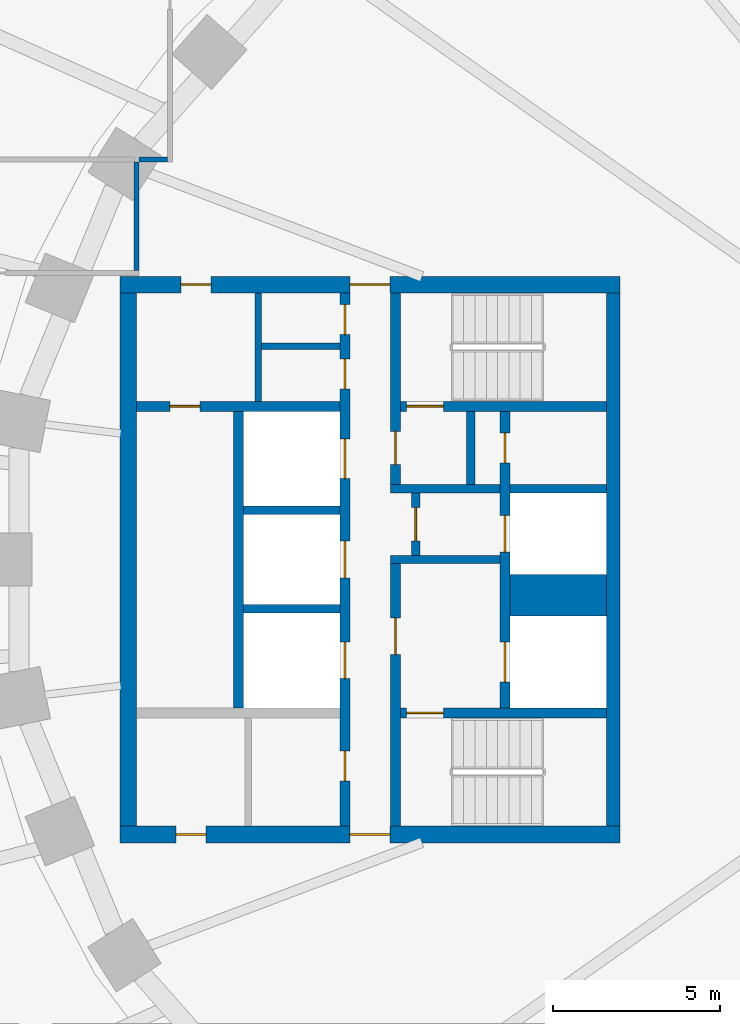
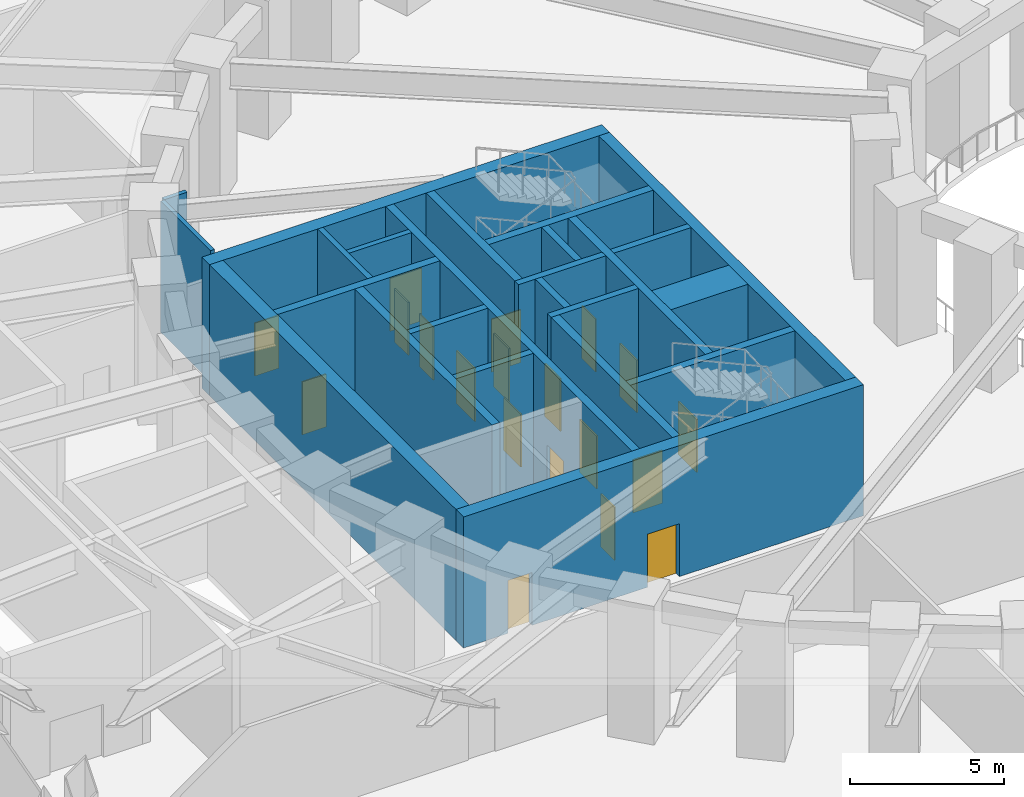
# One storey, part 12 of 63: 24 walls, 19 doors, 19 openings.
"""IFC4 building model written with IfcOpenShell, lengths in metres."""

from ifc_helpers import new_model, si_unit, direction, frame, frame_2d, origin, place, context, subcontext, project, spatial, rectangle, extrude, material, layer, layer_set, type_object, element, fill, save


model = new_model("IFC4")

# Units and contexts
model_context = context("Model", 3, precision=1e-05, world=origin(), true_north=direction((0.0, 1.0)))
body_context = subcontext(model_context, "Body", "Model", "MODEL_VIEW")
ifc_project = project(units=[si_unit("LENGTHUNIT", "METRE"), si_unit("AREAUNIT", "SQUARE_METRE"), si_unit("VOLUMEUNIT", "CUBIC_METRE"), si_unit("PLANEANGLEUNIT", "RADIAN"), si_unit("MASSUNIT", "GRAM", prefix="KILO")], contexts=[model_context])

# Site, building, storey
site_placement = place(None, origin())
site = spatial("IfcSite", under=ifc_project, at=site_placement, CompositionType="ELEMENT")
building_placement = place(site_placement, origin())
building = spatial("IfcBuilding", under=site, at=building_placement, Name="Noorbagh Ring Tower", CompositionType="ELEMENT")
storey_placement = place(building_placement, frame((0.0, 0.0, 25.0)))
storey = spatial("IfcBuildingStorey", under=building, at=storey_placement, Name="L04", CompositionType="ELEMENT", Elevation=25.0)

# Walls
ifc_material_1 = material(Name="Gypsum board on steel studs", Category="steel")
ifc_layer_1 = layer(ifc_material_1, 0.199951171875)
ifc_layer_set_1 = layer_set([ifc_layer_1], Name="Gypsum board on steel studs")
wall_type_1 = type_object("IfcWallType", Name="CORE-PARTITION-200", PredefinedType="PARTITIONING", material=ifc_layer_set_1)
wall_1_placement = place(storey_placement, frame((-27.35009765625, 4.75, 0.0), z_axis=(0.0, 0.0, 1.0), x_axis=(0.0, 1.0, 0.0)))
element("IfcWall", 1, at=wall_1_placement, inside=storey, type_object=wall_type_1, Name="Core partition W", PredefinedType="PARTITIONING", context=body_context, shape_type="SweptSolid", body=[
    extrude(rectangle(XDim=3.25, YDim=0.199951171875, at=frame_2d((1.625, 0.0))), origin(), (0.0, 0.0, 1.0), 5.199951171875),
])
wall_2_placement = place(storey_placement, frame((-24.89990234375, 6.39990234375, 0.0), z_axis=(0.0, 0.0, 1.0), x_axis=(-1.0, 0.0, 0.0)))
element("IfcWall", 2, at=wall_2_placement, inside=storey, type_object=wall_type_1, Name="Core partition W", PredefinedType="PARTITIONING", context=body_context, shape_type="SweptSolid", body=[
    extrude(rectangle(XDim=2.35009765625, YDim=0.199951171875, at=frame_2d((1.175048828125, 0.0))), origin(), (0.0, 0.0, 1.0), 5.199951171875),
])
ifc_material_2 = material(Name="Concrete C70/85", Category="concrete")
ifc_layer_2 = layer(ifc_material_2, 1.25)
ifc_layer_set_2 = layer_set([ifc_layer_2], Name="Concrete C70/85")
wall_type_2 = type_object("IfcWallType", Name="CORE-WALL-1250-C70-85-EI120", PredefinedType="SHEAR", material=ifc_layer_set_2)
wall_3_placement = place(storey_placement, frame((-16.89990234375, -1.074951171875, 0.0), z_axis=(0.0, 0.0, 1.0), x_axis=(-1.0, 0.0, 0.0)))
element("IfcWall", 3, at=wall_3_placement, inside=storey, type_object=wall_type_2, Name="Core wall W", PredefinedType="SHEAR", context=body_context, shape_type="SweptSolid", body=[
    extrude(rectangle(XDim=2.900146484375, YDim=1.25, at=frame_2d((1.4501953125, 0.0))), origin(), (0.0, 0.0, 1.0), 5.199951171875),
])
ifc_material_3 = material(Name="Concrete C70/85", Category="concrete")
ifc_layer_3 = layer(ifc_material_3, 0.25)
ifc_layer_set_3 = layer_set([ifc_layer_3], Name="Concrete C70/85")
wall_type_3 = type_object("IfcWallType", Name="CORE-WALL-250-C70-85-EI120", PredefinedType="SHEAR", material=ifc_layer_set_3)
for number, where, z_axis, x_axis, name in (
    (4, (-16.89990234375, 2.125, 0.0), (0.0, 0.0, 1.0), (-1.0, 0.0, 0.0), "Core wall W"),
    (5, (-24.89990234375, -1.47509765625, 0.0), (0.0, 0.0, 1.0), (-1.0, 0.0, 0.0), "Core wall W"),
    (6, (-24.89990234375, 1.47509765625, 0.0), (0.0, 0.0, 1.0), (-1.0, 0.0, 0.0), "Core wall W"),
):
    element("IfcWall", number, at=place(storey_placement, frame(where, z_axis=z_axis, x_axis=x_axis)), inside=storey, type_object=wall_type_3, Name=name, PredefinedType="SHEAR", context=body_context, shape_type="SweptSolid", body=[
        extrude(rectangle(XDim=2.900146484375, YDim=0.25, at=frame_2d((1.4501953125, 0.0))), origin(), (0.0, 0.0, 1.0), 5.199951171875),
    ])
ifc_material_4 = material(Name="Concrete C70/85", Category="concrete")
ifc_layer_4 = layer(ifc_material_4, 0.25)
ifc_layer_set_4 = layer_set([ifc_layer_4], Name="Concrete C70/85")
wall_type_4 = type_object("IfcWallType", Name="CORE-WALL-250-C70-85-EI240", PredefinedType="SHEAR", material=ifc_layer_set_4)
wall_4_placement = place(storey_placement, frame((-20.10009765625, 0.0, 0.0), z_axis=(0.0, 0.0, 1.0), x_axis=(-1.0, 0.0, 0.0)))
element("IfcWall", 7, at=wall_4_placement, inside=storey, type_object=wall_type_4, Name="Core wall W", PredefinedType="SHEAR", context=body_context, shape_type="SweptSolid", body=[
    extrude(rectangle(XDim=3.27978515625, YDim=0.25, at=frame_2d((1.639892578125, 0.0))), origin(), (0.0, 0.0, 1.0), 5.199951171875),
])

# Wall, opening, door
wall_5_placement = place(storey_placement, frame((-22.625, 0.125, 0.0), z_axis=(0.0, 0.0, 1.0), x_axis=(0.0, 1.0, 0.0)))
wall_5 = element("IfcWall", 8, at=wall_5_placement, inside=storey, type_object=wall_type_4, Name="Core wall W", PredefinedType="SHEAR", context=body_context, shape_type="SweptSolid", body=[
    extrude(rectangle(XDim=1.875, YDim=0.25, at=frame_2d((0.9375, 0.0))), origin(), (0.0, 0.0, 1.0), 5.199951171875),
])
opening_1_placement = place(wall_5_placement, frame((0.43505859375, 0.0, 0.0)))
opening_1 = element("IfcOpeningElement", 9, at=opening_1_placement, cuts=wall_5, Name="Opening L04-CW10", PredefinedType="OPENING", context=body_context, shape_type="SweptSolid", body=[
    extrude(rectangle(XDim=1.0, YDim=2.10009765625, at=frame_2d((0.5, 1.050048828125))), frame((0.0, 0.135009765625, 0.0), z_axis=(0.0, -1.0, 0.0), x_axis=(1.0, 0.0, 0.0)), (0.0, 0.0, 1.0), 0.27001953125),
])
ifc_material_5 = material(Name="Steel door leaf", Category="steel")
door_type_1 = type_object("IfcDoorType", Name="CORE-DOOR-DVEST", OperationType="SINGLE_SWING_LEFT", PredefinedType="DOOR", material=ifc_material_5)
door_1_placement = place(opening_1_placement, origin())
door_1 = element("IfcDoor", 10, at=door_1_placement, inside=storey, type_object=door_type_1, Name="Observation lift lobby door L04-CW10", OperationType="SINGLE_SWING_LEFT", OverallHeight=2.10009765625, OverallWidth=1.0, PredefinedType="DOOR", context=body_context, shape_type="SweptSolid", body=[
    extrude(rectangle(XDim=1.0, YDim=2.10009765625, at=frame_2d((0.5, 1.050048828125))), frame((0.0, 0.02490234375, 0.0), z_axis=(0.0, -1.0, 0.0), x_axis=(1.0, 0.0, 0.0)), (0.0, 0.0, 1.0), 0.050048828125),
])
fill(opening_1, door_1)

# Walls
wall_6_placement = place(storey_placement, frame((-20.10009765625, 2.125, 0.0), z_axis=(0.0, 0.0, 1.0), x_axis=(-1.0, 0.0, 0.0)))
element("IfcWall", 11, at=wall_6_placement, inside=storey, type_object=wall_type_4, Name="Core wall W", PredefinedType="SHEAR", context=body_context, shape_type="SweptSolid", body=[
    extrude(rectangle(XDim=3.27978515625, YDim=0.25, at=frame_2d((1.639892578125, 0.0))), origin(), (0.0, 0.0, 1.0), 5.199951171875),
])
wall_7_placement = place(storey_placement, frame((-20.97509765625, 2.25, 0.0), z_axis=(0.0, 0.0, 1.0), x_axis=(0.0, 1.0, 0.0)))
element("IfcWall", 12, at=wall_7_placement, inside=storey, type_object=wall_type_4, Name="Core wall W", PredefinedType="SHEAR", context=body_context, shape_type="SweptSolid", body=[
    extrude(rectangle(XDim=2.199951171875, YDim=0.25, at=frame_2d((1.10009765625, 0.0))), origin(), (0.0, 0.0, 1.0), 5.199951171875),
])
ifc_material_6 = material(Name="Concrete C70/85", Category="concrete")
ifc_layer_5 = layer(ifc_material_6, 0.300048828125)
ifc_layer_set_5 = layer_set([ifc_layer_5], Name="Concrete C70/85")
wall_type_5 = type_object("IfcWallType", Name="CORE-WALL-300-C70-85-EI120", PredefinedType="SHEAR", material=ifc_layer_set_5)
wall_8_placement = place(storey_placement, frame((-27.949951171875, -4.449951171875, 0.0), z_axis=(0.0, 0.0, 1.0), x_axis=(0.0, 1.0, 0.0)))
element("IfcWall", 13, at=wall_8_placement, inside=storey, type_object=wall_type_5, Name="Core wall W", PredefinedType="SHEAR", context=body_context, shape_type="SweptSolid", body=[
    extrude(rectangle(XDim=8.89990234375, YDim=0.300048828125, at=frame_2d((4.449951171875, 0.0))), origin(), (0.0, 0.0, 1.0), 5.199951171875),
])

# Wall, openings, doors
wall_9_placement = place(storey_placement, frame((-19.949951171875, -4.449951171875, 0.0), z_axis=(0.0, 0.0, 1.0), x_axis=(0.0, 1.0, 0.0)))
wall_9 = element("IfcWall", 14, at=wall_9_placement, inside=storey, type_object=wall_type_5, Name="Core wall W", PredefinedType="SHEAR", context=body_context, shape_type="SweptSolid", body=[
    extrude(rectangle(XDim=8.89990234375, YDim=0.300048828125, at=frame_2d((4.449951171875, 0.0))), origin(), (0.0, 0.0, 1.0), 5.199951171875),
])
opening_2_placement = place(wall_9_placement, frame((0.77490234375, 0.0, 0.0)))
opening_2 = element("IfcOpeningElement", 15, at=opening_2_placement, cuts=wall_9, Name="Opening L04-CW01", PredefinedType="OPENING", context=body_context, shape_type="SweptSolid", body=[
    extrude(rectangle(XDim=1.199951171875, YDim=2.10009765625, at=frame_2d((0.60009765625, 1.050048828125))), frame((0.0, 0.16015625, 0.0), z_axis=(0.0, -1.0, 0.0), x_axis=(1.0, 0.0, 0.0)), (0.0, 0.0, 1.0), 0.320068359375),
])
opening_3_placement = place(wall_9_placement, frame((4.675048828125, 0.0, 0.0)))
opening_3 = element("IfcOpeningElement", 16, at=opening_3_placement, cuts=wall_9, Name="Opening L04-CW02", PredefinedType="OPENING", context=body_context, shape_type="SweptSolid", body=[
    extrude(rectangle(XDim=1.10009765625, YDim=2.10009765625, at=frame_2d((0.550048828125, 1.050048828125))), frame((0.0, 0.16015625, 0.0), z_axis=(0.0, -1.0, 0.0), x_axis=(1.0, 0.0, 0.0)), (0.0, 0.0, 1.0), 0.320068359375),
])
opening_4_placement = place(wall_9_placement, frame((7.35009765625, 0.0, 0.0)))
opening_4 = element("IfcOpeningElement", 17, at=opening_4_placement, cuts=wall_9, Name="Opening L04-CW13", PredefinedType="OPENING", context=body_context, shape_type="SweptSolid", body=[
    extrude(rectangle(XDim=0.89990234375, YDim=2.10009765625, at=frame_2d((0.449951171875, 1.050048828125))), frame((0.0, 0.16015625, 0.0), z_axis=(0.0, -1.0, 0.0), x_axis=(1.0, 0.0, 0.0)), (0.0, 0.0, 1.0), 0.320068359375),
])
ifc_material_7 = material(Name="Steel door leaf", Category="steel")
door_type_2 = type_object("IfcDoorType", Name="CORE-DOOR-DROOM", OperationType="SINGLE_SWING_LEFT", PredefinedType="DOOR", material=ifc_material_7)
door_2_placement = place(opening_4_placement, origin())
door_2 = element("IfcDoor", 18, at=door_2_placement, inside=storey, type_object=door_type_2, Name="Core room door L04-CW13", OperationType="SINGLE_SWING_LEFT", OverallHeight=2.10009765625, OverallWidth=0.89990234375, PredefinedType="DOOR", context=body_context, shape_type="SweptSolid", body=[
    extrude(rectangle(XDim=0.89990234375, YDim=2.10009765625, at=frame_2d((0.449951171875, 1.050048828125))), frame((0.0, 0.02490234375, 0.0), z_axis=(0.0, -1.0, 0.0), x_axis=(1.0, 0.0, 0.0)), (0.0, 0.0, 1.0), 0.050048828125),
])
fill(opening_4, door_2)
ifc_material_8 = material(Name="Steel door leaf", Category="steel")
door_type_3 = type_object("IfcDoorType", Name="CORE-DOOR-LD", OperationType="DOUBLE_DOOR_SLIDING", PredefinedType="DOOR", material=ifc_material_8)
door_3_placement = place(opening_3_placement, origin())
door_3 = element("IfcDoor", 19, at=door_3_placement, inside=storey, type_object=door_type_3, Name="Landing door OB1 L04-CW02", OperationType="DOUBLE_DOOR_SLIDING", OverallHeight=2.10009765625, OverallWidth=1.10009765625, PredefinedType="DOOR", context=body_context, shape_type="SweptSolid", body=[
    extrude(rectangle(XDim=1.10009765625, YDim=2.10009765625, at=frame_2d((0.550048828125, 1.050048828125))), frame((0.0, 0.02490234375, 0.0), z_axis=(0.0, -1.0, 0.0), x_axis=(1.0, 0.0, 0.0)), (0.0, 0.0, 1.0), 0.050048828125),
])
fill(opening_3, door_3)
ifc_material_9 = material(Name="Steel door leaf", Category="steel")
door_type_4 = type_object("IfcDoorType", Name="CORE-DOOR-LDW", OperationType="DOUBLE_DOOR_SLIDING", PredefinedType="DOOR", material=ifc_material_9)
door_4_placement = place(opening_2_placement, origin())
door_4 = element("IfcDoor", 20, at=door_4_placement, inside=storey, type_object=door_type_4, Name="Landing door FF1 L04-CW01", OperationType="DOUBLE_DOOR_SLIDING", OverallHeight=2.10009765625, OverallWidth=1.199951171875, PredefinedType="DOOR", context=body_context, shape_type="SweptSolid", body=[
    extrude(rectangle(XDim=1.199951171875, YDim=2.10009765625, at=frame_2d((0.60009765625, 1.050048828125))), frame((0.0, 0.02490234375, 0.0), z_axis=(0.0, -1.0, 0.0), x_axis=(1.0, 0.0, 0.0)), (0.0, 0.0, 1.0), 0.050048828125),
])
fill(opening_2, door_4)

wall_10_placement = place(storey_placement, frame((-24.75, -8.0, 0.0), z_axis=(0.0, 0.0, 1.0), x_axis=(0.0, 1.0, 0.0)))
wall_10 = element("IfcWall", 21, at=wall_10_placement, inside=storey, type_object=wall_type_5, Name="Core wall W", PredefinedType="SHEAR", context=body_context, shape_type="SweptSolid", body=[
    extrude(rectangle(XDim=16.0, YDim=0.300048828125, at=frame_2d((8.0, 0.0))), origin(), (0.0, 0.0, 1.0), 5.199951171875),
])
opening_5_placement = place(wall_10_placement, frame((4.425048828125, 0.0, 0.0)))
opening_5 = element("IfcOpeningElement", 22, at=opening_5_placement, cuts=wall_10, Name="Opening L04-CW03", PredefinedType="OPENING", context=body_context, shape_type="SweptSolid", body=[
    extrude(rectangle(XDim=1.10009765625, YDim=2.10009765625, at=frame_2d((0.550048828125, 1.050048828125))), frame((0.0, 0.16015625, 0.0), z_axis=(0.0, -1.0, 0.0), x_axis=(1.0, 0.0, 0.0)), (0.0, 0.0, 1.0), 0.320068359375),
])
opening_6_placement = place(wall_10_placement, frame((7.449951171875, 0.0, 0.0)))
opening_6 = element("IfcOpeningElement", 23, at=opening_6_placement, cuts=wall_10, Name="Opening L04-CW04", PredefinedType="OPENING", context=body_context, shape_type="SweptSolid", body=[
    extrude(rectangle(XDim=1.10009765625, YDim=2.10009765625, at=frame_2d((0.550048828125, 1.050048828125))), frame((0.0, 0.16015625, 0.0), z_axis=(0.0, -1.0, 0.0), x_axis=(1.0, 0.0, 0.0)), (0.0, 0.0, 1.0), 0.320068359375),
])
opening_7_placement = place(wall_10_placement, frame((10.425048828125, 0.0, 0.0)))
opening_7 = element("IfcOpeningElement", 24, at=opening_7_placement, cuts=wall_10, Name="Opening L04-CW05", PredefinedType="OPENING", context=body_context, shape_type="SweptSolid", body=[
    extrude(rectangle(XDim=1.199951171875, YDim=2.10009765625, at=frame_2d((0.60009765625, 1.050048828125))), frame((0.0, 0.16015625, 0.0), z_axis=(0.0, -1.0, 0.0), x_axis=(1.0, 0.0, 0.0)), (0.0, 0.0, 1.0), 0.320068359375),
])
opening_8_placement = place(wall_10_placement, frame((13.125, 0.0, 0.0)))
opening_8 = element("IfcOpeningElement", 25, at=opening_8_placement, cuts=wall_10, Name="Opening L04-CW14", PredefinedType="OPENING", context=body_context, shape_type="SweptSolid", body=[
    extrude(rectangle(XDim=0.89990234375, YDim=2.10009765625, at=frame_2d((0.449951171875, 1.050048828125))), frame((0.0, 0.16015625, 0.0), z_axis=(0.0, -1.0, 0.0), x_axis=(1.0, 0.0, 0.0)), (0.0, 0.0, 1.0), 0.320068359375),
])
opening_9_placement = place(wall_10_placement, frame((14.75, 0.0, 0.0)))
opening_9 = element("IfcOpeningElement", 26, at=opening_9_placement, cuts=wall_10, Name="Opening L04-CW15", PredefinedType="OPENING", context=body_context, shape_type="SweptSolid", body=[
    extrude(rectangle(XDim=0.89990234375, YDim=2.10009765625, at=frame_2d((0.449951171875, 1.050048828125))), frame((0.0, 0.16015625, 0.0), z_axis=(0.0, -1.0, 0.0), x_axis=(1.0, 0.0, 0.0)), (0.0, 0.0, 1.0), 0.320068359375),
])
opening_10_placement = place(wall_10_placement, frame((1.35009765625, 0.0, 0.0)))
opening_10 = element("IfcOpeningElement", 27, at=opening_10_placement, cuts=wall_10, Name="Opening L04-CW17", PredefinedType="OPENING", context=body_context, shape_type="SweptSolid", body=[
    extrude(rectangle(XDim=0.89990234375, YDim=2.10009765625, at=frame_2d((0.449951171875, 1.050048828125))), frame((0.0, 0.16015625, 0.0), z_axis=(0.0, -1.0, 0.0), x_axis=(1.0, 0.0, 0.0)), (0.0, 0.0, 1.0), 0.320068359375),
])
door_5_placement = place(opening_8_placement, origin())
door_5 = element("IfcDoor", 28, at=door_5_placement, inside=storey, type_object=door_type_2, Name="Core room door L04-CW14", OperationType="SINGLE_SWING_LEFT", OverallHeight=2.10009765625, OverallWidth=0.89990234375, PredefinedType="DOOR", context=body_context, shape_type="SweptSolid", body=[
    extrude(rectangle(XDim=0.89990234375, YDim=2.10009765625, at=frame_2d((0.449951171875, 1.050048828125))), frame((0.0, 0.02490234375, 0.0), z_axis=(0.0, -1.0, 0.0), x_axis=(1.0, 0.0, 0.0)), (0.0, 0.0, 1.0), 0.050048828125),
])
fill(opening_8, door_5)
door_6_placement = place(opening_9_placement, origin())
door_6 = element("IfcDoor", 29, at=door_6_placement, inside=storey, type_object=door_type_2, Name="Core room door L04-CW15", OperationType="SINGLE_SWING_RIGHT", OverallHeight=2.10009765625, OverallWidth=0.89990234375, PredefinedType="DOOR", context=body_context, shape_type="SweptSolid", body=[
    extrude(rectangle(XDim=0.89990234375, YDim=2.10009765625, at=frame_2d((0.449951171875, 1.050048828125))), frame((0.0, 0.02490234375, 0.0), z_axis=(0.0, -1.0, 0.0), x_axis=(1.0, 0.0, 0.0)), (0.0, 0.0, 1.0), 0.050048828125),
])
fill(opening_9, door_6)
door_7_placement = place(opening_10_placement, origin())
door_7 = element("IfcDoor", 30, at=door_7_placement, inside=storey, type_object=door_type_2, Name="Core room door L04-CW17", OperationType="SINGLE_SWING_LEFT", OverallHeight=2.10009765625, OverallWidth=0.89990234375, PredefinedType="DOOR", context=body_context, shape_type="SweptSolid", body=[
    extrude(rectangle(XDim=0.89990234375, YDim=2.10009765625, at=frame_2d((0.449951171875, 1.050048828125))), frame((0.0, 0.02490234375, 0.0), z_axis=(0.0, -1.0, 0.0), x_axis=(1.0, 0.0, 0.0)), (0.0, 0.0, 1.0), 0.050048828125),
])
fill(opening_10, door_7)
door_8_placement = place(opening_5_placement, origin())
door_8 = element("IfcDoor", 31, at=door_8_placement, inside=storey, type_object=door_type_3, Name="Landing door LR1 L04-CW03", OperationType="DOUBLE_DOOR_SLIDING", OverallHeight=2.10009765625, OverallWidth=1.10009765625, PredefinedType="DOOR", context=body_context, shape_type="SweptSolid", body=[
    extrude(rectangle(XDim=1.10009765625, YDim=2.10009765625, at=frame_2d((0.550048828125, 1.050048828125))), frame((0.0, 0.02490234375, 0.0), z_axis=(0.0, -1.0, 0.0), x_axis=(1.0, 0.0, 0.0)), (0.0, 0.0, 1.0), 0.050048828125),
])
fill(opening_5, door_8)
door_9_placement = place(opening_6_placement, origin())
door_9 = element("IfcDoor", 32, at=door_9_placement, inside=storey, type_object=door_type_3, Name="Landing door LR2 L04-CW04", OperationType="DOUBLE_DOOR_SLIDING", OverallHeight=2.10009765625, OverallWidth=1.10009765625, PredefinedType="DOOR", context=body_context, shape_type="SweptSolid", body=[
    extrude(rectangle(XDim=1.10009765625, YDim=2.10009765625, at=frame_2d((0.550048828125, 1.050048828125))), frame((0.0, 0.02490234375, 0.0), z_axis=(0.0, -1.0, 0.0), x_axis=(1.0, 0.0, 0.0)), (0.0, 0.0, 1.0), 0.050048828125),
])
fill(opening_6, door_9)
door_10_placement = place(opening_7_placement, origin())
door_10 = element("IfcDoor", 33, at=door_10_placement, inside=storey, type_object=door_type_4, Name="Landing door SV1 L04-CW05", OperationType="DOUBLE_DOOR_SLIDING", OverallHeight=2.10009765625, OverallWidth=1.199951171875, PredefinedType="DOOR", context=body_context, shape_type="SweptSolid", body=[
    extrude(rectangle(XDim=1.199951171875, YDim=2.10009765625, at=frame_2d((0.60009765625, 1.050048828125))), frame((0.0, 0.02490234375, 0.0), z_axis=(0.0, -1.0, 0.0), x_axis=(1.0, 0.0, 0.0)), (0.0, 0.0, 1.0), 0.050048828125),
])
fill(opening_7, door_10)

# Wall, opening, door
ifc_material_10 = material(Name="Concrete C70/85", Category="concrete")
ifc_layer_6 = layer(ifc_material_10, 0.300048828125)
ifc_layer_set_6 = layer_set([ifc_layer_6], Name="Concrete C70/85")
wall_type_6 = type_object("IfcWallType", Name="CORE-WALL-300-C70-85-EI240", PredefinedType="SHEAR", material=ifc_layer_set_6)
wall_11_placement = place(storey_placement, frame((-24.89990234375, 4.60009765625, 0.0), z_axis=(0.0, 0.0, 1.0), x_axis=(-1.0, 0.0, 0.0)))
wall_11 = element("IfcWall", 34, at=wall_11_placement, inside=storey, type_object=wall_type_6, Name="Core wall W", PredefinedType="SHEAR", context=body_context, shape_type="SweptSolid", body=[
    extrude(rectangle(XDim=6.10009765625, YDim=0.300048828125, at=frame_2d((3.050048828125, 0.0))), origin(), (0.0, 0.0, 1.0), 5.199951171875),
])
opening_11_placement = place(wall_11_placement, frame((4.199951171875, 0.0, 0.0)))
opening_11 = element("IfcOpeningElement", 35, at=opening_11_placement, cuts=wall_11, Name="Opening L04-CW19", PredefinedType="OPENING", context=body_context, shape_type="SweptSolid", body=[
    extrude(rectangle(XDim=0.89990234375, YDim=2.10009765625, at=frame_2d((0.449951171875, 1.050048828125))), frame((0.0, 0.16015625, 0.0), z_axis=(0.0, -1.0, 0.0), x_axis=(1.0, 0.0, 0.0)), (0.0, 0.0, 1.0), 0.320068359375),
])
door_11_placement = place(opening_11_placement, origin())
door_11 = element("IfcDoor", 36, at=door_11_placement, inside=storey, type_object=door_type_2, Name="Core room door L04-CW19", OperationType="SINGLE_SWING_LEFT", OverallHeight=2.10009765625, OverallWidth=0.89990234375, PredefinedType="DOOR", context=body_context, shape_type="SweptSolid", body=[
    extrude(rectangle(XDim=0.89990234375, YDim=2.10009765625, at=frame_2d((0.449951171875, 1.050048828125))), frame((0.0, 0.02490234375, 0.0), z_axis=(0.0, -1.0, 0.0), x_axis=(1.0, 0.0, 0.0)), (0.0, 0.0, 1.0), 0.050048828125),
])
fill(opening_11, door_11)

wall_12_placement = place(storey_placement, frame((-23.22998046875, 2.25, 0.0), z_axis=(0.0, 0.0, 1.0), x_axis=(0.0, 1.0, 0.0)))
wall_12 = element("IfcWall", 37, at=wall_12_placement, inside=storey, type_object=wall_type_6, Name="Core wall W", PredefinedType="SHEAR", context=body_context, shape_type="SweptSolid", body=[
    extrude(rectangle(XDim=5.75, YDim=0.300048828125, at=frame_2d((2.875, 0.0))), origin(), (0.0, 0.0, 1.0), 5.199951171875),
])
opening_12_placement = place(wall_12_placement, frame((0.60009765625, 0.0, 0.0)))
opening_12 = element("IfcOpeningElement", 38, at=opening_12_placement, cuts=wall_12, Name="Opening L04-CW09", PredefinedType="OPENING", context=body_context, shape_type="SweptSolid", body=[
    extrude(rectangle(XDim=1.0, YDim=2.10009765625, at=frame_2d((0.5, 1.050048828125))), frame((0.0, 0.16015625, 0.0), z_axis=(0.0, -1.0, 0.0), x_axis=(1.0, 0.0, 0.0)), (0.0, 0.0, 1.0), 0.320068359375),
])
door_12_placement = place(opening_12_placement, origin())
door_12 = element("IfcDoor", 39, at=door_12_placement, inside=storey, type_object=door_type_1, Name="Stair vestibule door L04-CW09", OperationType="SINGLE_SWING_LEFT", OverallHeight=2.10009765625, OverallWidth=1.0, PredefinedType="DOOR", context=body_context, shape_type="SweptSolid", body=[
    extrude(rectangle(XDim=1.0, YDim=2.10009765625, at=frame_2d((0.5, 1.050048828125))), frame((0.0, 0.02490234375, 0.0), z_axis=(0.0, -1.0, 0.0), x_axis=(1.0, 0.0, 0.0)), (0.0, 0.0, 1.0), 0.050048828125),
])
fill(opening_12, door_12)

wall_13_placement = place(storey_placement, frame((-23.22998046875, -8.0, 0.0), z_axis=(0.0, 0.0, 1.0), x_axis=(0.0, 1.0, 0.0)))
wall_13 = element("IfcWall", 40, at=wall_13_placement, inside=storey, type_object=wall_type_6, Name="Core wall W", PredefinedType="SHEAR", context=body_context, shape_type="SweptSolid", body=[
    extrude(rectangle(XDim=7.875, YDim=0.300048828125, at=frame_2d((3.9375, 0.0))), origin(), (0.0, 0.0, 1.0), 5.199951171875),
])
opening_13_placement = place(wall_13_placement, frame((5.14990234375, 0.0, 0.0)))
opening_13 = element("IfcOpeningElement", 41, at=opening_13_placement, cuts=wall_13, Name="Opening L04-CW08", PredefinedType="OPENING", context=body_context, shape_type="SweptSolid", body=[
    extrude(rectangle(XDim=1.10009765625, YDim=2.10009765625, at=frame_2d((0.550048828125, 1.050048828125))), frame((0.0, 0.16015625, 0.0), z_axis=(0.0, -1.0, 0.0), x_axis=(1.0, 0.0, 0.0)), (0.0, 0.0, 1.0), 0.320068359375),
])
ifc_material_11 = material(Name="Steel door leaf", Category="steel")
door_type_5 = type_object("IfcDoorType", Name="CORE-DOOR-DFF", OperationType="SINGLE_SWING_LEFT", PredefinedType="DOOR", material=ifc_material_11)
door_13_placement = place(opening_13_placement, origin())
door_13 = element("IfcDoor", 42, at=door_13_placement, inside=storey, type_object=door_type_5, Name="Firefighting lobby door L04-CW08", OperationType="SINGLE_SWING_LEFT", OverallHeight=2.10009765625, OverallWidth=1.10009765625, PredefinedType="DOOR", context=body_context, shape_type="SweptSolid", body=[
    extrude(rectangle(XDim=1.10009765625, YDim=2.10009765625, at=frame_2d((0.550048828125, 1.050048828125))), frame((0.0, 0.02490234375, 0.0), z_axis=(0.0, -1.0, 0.0), x_axis=(1.0, 0.0, 0.0)), (0.0, 0.0, 1.0), 0.050048828125),
])
fill(opening_13, door_13)

wall_14_placement = place(storey_placement, frame((-16.89990234375, 4.60009765625, 0.0), z_axis=(0.0, 0.0, 1.0), x_axis=(-1.0, 0.0, 0.0)))
wall_14 = element("IfcWall", 43, at=wall_14_placement, inside=storey, type_object=wall_type_6, Name="Core wall W", PredefinedType="SHEAR", context=body_context, shape_type="SweptSolid", body=[
    extrude(rectangle(XDim=6.18017578125, YDim=0.300048828125, at=frame_2d((3.090087890625, 0.0))), origin(), (0.0, 0.0, 1.0), 5.199951171875),
])
opening_14_placement = place(wall_14_placement, frame((4.89990234375, 0.0, 0.0)))
opening_14 = element("IfcOpeningElement", 44, at=opening_14_placement, cuts=wall_14, Name="Opening L04-CW06", PredefinedType="OPENING", context=body_context, shape_type="SweptSolid", body=[
    extrude(rectangle(XDim=1.10009765625, YDim=2.10009765625, at=frame_2d((0.550048828125, 1.050048828125))), frame((0.0, 0.16015625, 0.0), z_axis=(0.0, -1.0, 0.0), x_axis=(1.0, 0.0, 0.0)), (0.0, 0.0, 1.0), 0.320068359375),
])
ifc_material_12 = material(Name="Steel door leaf", Category="steel")
door_type_6 = type_object("IfcDoorType", Name="CORE-DOOR-DSTAIR", OperationType="SINGLE_SWING_LEFT", PredefinedType="DOOR", material=ifc_material_12)
door_14_placement = place(opening_14_placement, origin())
door_14 = element("IfcDoor", 45, at=door_14_placement, inside=storey, type_object=door_type_6, Name="Stair door ST1 L04-CW06", OperationType="SINGLE_SWING_RIGHT", OverallHeight=2.10009765625, OverallWidth=1.10009765625, PredefinedType="DOOR", context=body_context, shape_type="SweptSolid", body=[
    extrude(rectangle(XDim=1.10009765625, YDim=2.10009765625, at=frame_2d((0.550048828125, 1.050048828125))), frame((0.0, 0.02490234375, 0.0), z_axis=(0.0, -1.0, 0.0), x_axis=(1.0, 0.0, 0.0)), (0.0, 0.0, 1.0), 0.050048828125),
])
fill(opening_14, door_14)

wall_15_placement = place(storey_placement, frame((-16.89990234375, -4.60009765625, 0.0), z_axis=(0.0, 0.0, 1.0), x_axis=(-1.0, 0.0, 0.0)))
wall_15 = element("IfcWall", 46, at=wall_15_placement, inside=storey, type_object=wall_type_6, Name="Core wall W", PredefinedType="SHEAR", context=body_context, shape_type="SweptSolid", body=[
    extrude(rectangle(XDim=6.18017578125, YDim=0.300048828125, at=frame_2d((3.090087890625, 0.0))), origin(), (0.0, 0.0, 1.0), 5.199951171875),
])
opening_15_placement = place(wall_15_placement, frame((4.89990234375, 0.0, 0.0)))
opening_15 = element("IfcOpeningElement", 47, at=opening_15_placement, cuts=wall_15, Name="Opening L04-CW07", PredefinedType="OPENING", context=body_context, shape_type="SweptSolid", body=[
    extrude(rectangle(XDim=1.10009765625, YDim=2.10009765625, at=frame_2d((0.550048828125, 1.050048828125))), frame((0.0, 0.16015625, 0.0), z_axis=(0.0, -1.0, 0.0), x_axis=(1.0, 0.0, 0.0)), (0.0, 0.0, 1.0), 0.320068359375),
])
door_15_placement = place(opening_15_placement, origin())
door_15 = element("IfcDoor", 48, at=door_15_placement, inside=storey, type_object=door_type_6, Name="Stair door ST2 L04-CW07", OperationType="SINGLE_SWING_LEFT", OverallHeight=2.10009765625, OverallWidth=1.10009765625, PredefinedType="DOOR", context=body_context, shape_type="SweptSolid", body=[
    extrude(rectangle(XDim=1.10009765625, YDim=2.10009765625, at=frame_2d((0.550048828125, 1.050048828125))), frame((0.0, 0.02490234375, 0.0), z_axis=(0.0, -1.0, 0.0), x_axis=(1.0, 0.0, 0.0)), (0.0, 0.0, 1.0), 0.050048828125),
])
fill(opening_15, door_15)

# Wall
ifc_material_13 = material(Name="Concrete C70/85", Category="concrete")
ifc_layer_7 = layer(ifc_material_13, 0.39990234375)
ifc_layer_set_7 = layer_set([ifc_layer_7], Name="Concrete C70/85")
wall_type_7 = type_object("IfcWallType", Name="CORE-WALL-400-C70-85-EI240", PredefinedType="SHEAR", material=ifc_layer_set_7)
wall_16_placement = place(storey_placement, frame((-16.699951171875, -8.0, 0.0), z_axis=(0.0, 0.0, 1.0), x_axis=(0.0, 1.0, 0.0)))
element("IfcWall", 49, at=wall_16_placement, inside=storey, type_object=wall_type_7, Name="Core wall W", PredefinedType="SHEAR", context=body_context, shape_type="SweptSolid", body=[
    extrude(rectangle(XDim=16.0, YDim=0.39990234375, at=frame_2d((8.0, 0.0))), origin(), (0.0, 0.0, 1.0), 5.199951171875),
])

# Wall, openings, doors
ifc_material_14 = material(Name="Concrete C70/85", Category="concrete")
ifc_layer_8 = layer(ifc_material_14, 0.5)
ifc_layer_set_8 = layer_set([ifc_layer_8], Name="Concrete C70/85")
wall_type_8 = type_object("IfcWallType", Name="CORE-WALL-500-C70-85-EI240", PredefinedType="SHEAR", material=ifc_layer_set_8)
wall_17_placement = place(storey_placement, frame((-16.5, 8.25, 0.0), z_axis=(0.0, 0.0, 1.0), x_axis=(-1.0, 0.0, 0.0)))
wall_17 = element("IfcWall", 50, at=wall_17_placement, inside=storey, type_object=wall_type_8, Name="Core wall W", PredefinedType="SHEAR", context=body_context, shape_type="SweptSolid", body=[
    extrude(rectangle(XDim=15.0, YDim=0.5, at=frame_2d((7.5, 0.0))), origin(), (0.0, 0.0, 1.0), 5.199951171875),
])
opening_16_placement = place(wall_17_placement, frame((6.89990234375, 0.0, 0.0)))
opening_16 = element("IfcOpeningElement", 51, at=opening_16_placement, cuts=wall_17, Name="Opening L04-CW11", PredefinedType="OPENING", context=body_context, shape_type="SweptSolid", body=[
    extrude(rectangle(XDim=1.199951171875, YDim=2.10009765625, at=frame_2d((0.60009765625, 1.050048828125))), frame((0.0, 0.260009765625, 0.0), z_axis=(0.0, -1.0, 0.0), x_axis=(1.0, 0.0, 0.0)), (0.0, 0.0, 1.0), 0.52001953125),
])
opening_17_placement = place(wall_17_placement, frame((12.27490234375, 0.0, 0.0)))
opening_17 = element("IfcOpeningElement", 52, at=opening_17_placement, cuts=wall_17, Name="Opening L04-CW16", PredefinedType="OPENING", context=body_context, shape_type="SweptSolid", body=[
    extrude(rectangle(XDim=0.89990234375, YDim=2.10009765625, at=frame_2d((0.449951171875, 1.050048828125))), frame((0.0, 0.260009765625, 0.0), z_axis=(0.0, -1.0, 0.0), x_axis=(1.0, 0.0, 0.0)), (0.0, 0.0, 1.0), 0.52001953125),
])
door_16_placement = place(opening_17_placement, origin())
door_16 = element("IfcDoor", 53, at=door_16_placement, inside=storey, type_object=door_type_2, Name="Core room door L04-CW16", OperationType="SINGLE_SWING_RIGHT", OverallHeight=2.10009765625, OverallWidth=0.89990234375, PredefinedType="DOOR", context=body_context, shape_type="SweptSolid", body=[
    extrude(rectangle(XDim=0.89990234375, YDim=2.10009765625, at=frame_2d((0.449951171875, 1.050048828125))), frame((0.0, 0.02490234375, 0.0), z_axis=(0.0, -1.0, 0.0), x_axis=(1.0, 0.0, 0.0)), (0.0, 0.0, 1.0), 0.050048828125),
])
fill(opening_17, door_16)
ifc_material_15 = material(Name="Steel door leaf", Category="steel")
door_type_7 = type_object("IfcDoorType", Name="CORE-DOOR-PORT", OperationType="DOUBLE_DOOR_DOUBLE_SWING", PredefinedType="DOOR", material=ifc_material_15)
door_17_placement = place(opening_16_placement, origin())
door_17 = element("IfcDoor", 54, at=door_17_placement, inside=storey, type_object=door_type_7, Name="Core entrance door L04-CW11", OperationType="DOUBLE_DOOR_DOUBLE_SWING", OverallHeight=2.10009765625, OverallWidth=1.199951171875, PredefinedType="DOOR", context=body_context, shape_type="SweptSolid", body=[
    extrude(rectangle(XDim=1.199951171875, YDim=2.10009765625, at=frame_2d((0.60009765625, 1.050048828125))), frame((0.0, 0.02490234375, 0.0), z_axis=(0.0, -1.0, 0.0), x_axis=(1.0, 0.0, 0.0)), (0.0, 0.0, 1.0), 0.050048828125),
])
fill(opening_16, door_17)

wall_18_placement = place(storey_placement, frame((-16.5, -8.25, 0.0), z_axis=(0.0, 0.0, 1.0), x_axis=(-1.0, 0.0, 0.0)))
wall_18 = element("IfcWall", 55, at=wall_18_placement, inside=storey, type_object=wall_type_8, Name="Core wall W", PredefinedType="SHEAR", context=body_context, shape_type="SweptSolid", body=[
    extrude(rectangle(XDim=15.0, YDim=0.5, at=frame_2d((7.5, 0.0))), origin(), (0.0, 0.0, 1.0), 5.199951171875),
])
opening_18_placement = place(wall_18_placement, frame((6.89990234375, 0.0, 0.0)))
opening_18 = element("IfcOpeningElement", 56, at=opening_18_placement, cuts=wall_18, Name="Opening L04-CW12", PredefinedType="OPENING", context=body_context, shape_type="SweptSolid", body=[
    extrude(rectangle(XDim=1.199951171875, YDim=2.10009765625, at=frame_2d((0.60009765625, 1.050048828125))), frame((0.0, 0.260009765625, 0.0), z_axis=(0.0, -1.0, 0.0), x_axis=(1.0, 0.0, 0.0)), (0.0, 0.0, 1.0), 0.52001953125),
])
opening_19_placement = place(wall_18_placement, frame((12.425048828125, 0.0, 0.0)))
opening_19 = element("IfcOpeningElement", 57, at=opening_19_placement, cuts=wall_18, Name="Opening L04-CW18", PredefinedType="OPENING", context=body_context, shape_type="SweptSolid", body=[
    extrude(rectangle(XDim=0.89990234375, YDim=2.10009765625, at=frame_2d((0.449951171875, 1.050048828125))), frame((0.0, 0.260009765625, 0.0), z_axis=(0.0, -1.0, 0.0), x_axis=(1.0, 0.0, 0.0)), (0.0, 0.0, 1.0), 0.52001953125),
])
door_18_placement = place(opening_19_placement, origin())
door_18 = element("IfcDoor", 58, at=door_18_placement, inside=storey, type_object=door_type_2, Name="Core room door L04-CW18", OperationType="SINGLE_SWING_LEFT", OverallHeight=2.10009765625, OverallWidth=0.89990234375, PredefinedType="DOOR", context=body_context, shape_type="SweptSolid", body=[
    extrude(rectangle(XDim=0.89990234375, YDim=2.10009765625, at=frame_2d((0.449951171875, 1.050048828125))), frame((0.0, 0.02490234375, 0.0), z_axis=(0.0, -1.0, 0.0), x_axis=(1.0, 0.0, 0.0)), (0.0, 0.0, 1.0), 0.050048828125),
])
fill(opening_19, door_18)
door_19_placement = place(opening_18_placement, origin())
door_19 = element("IfcDoor", 59, at=door_19_placement, inside=storey, type_object=door_type_7, Name="Core entrance door L04-CW12", OperationType="DOUBLE_DOOR_DOUBLE_SWING", OverallHeight=2.10009765625, OverallWidth=1.199951171875, PredefinedType="DOOR", context=body_context, shape_type="SweptSolid", body=[
    extrude(rectangle(XDim=1.199951171875, YDim=2.10009765625, at=frame_2d((0.60009765625, 1.050048828125))), frame((0.0, 0.02490234375, 0.0), z_axis=(0.0, -1.0, 0.0), x_axis=(1.0, 0.0, 0.0)), (0.0, 0.0, 1.0), 0.050048828125),
])
fill(opening_18, door_19)

# Walls
wall_19_placement = place(storey_placement, frame((-31.25, -8.0, 0.0), z_axis=(0.0, 0.0, 1.0), x_axis=(0.0, 1.0, 0.0)))
element("IfcWall", 60, at=wall_19_placement, inside=storey, type_object=wall_type_8, Name="Core wall W", PredefinedType="SHEAR", context=body_context, shape_type="SweptSolid", body=[
    extrude(rectangle(XDim=16.0, YDim=0.5, at=frame_2d((8.0, 0.0))), origin(), (0.0, 0.0, 1.0), 5.199951171875),
])
ifc_material_16 = material(Name="Gypsum board on steel studs", Category="steel")
ifc_layer_9 = layer(ifc_material_16, 0.14990234375)
ifc_layer_set_9 = layer_set([ifc_layer_9], Name="Gypsum board on steel studs")
wall_type_9 = type_object("IfcWallType", Name="GND-PART-150", PredefinedType="PARTITIONING", material=ifc_layer_set_9)
wall_20_placement = place(storey_placement, frame((-30.074951171875, 12.0, 0.0), z_axis=(0.0, 0.0, 1.0), x_axis=(-1.0, 0.0, 0.0)))
element("IfcWall", 61, at=wall_20_placement, inside=storey, type_object=wall_type_9, Name="L04/wall/P020", PredefinedType="PARTITIONING", context=body_context, shape_type="SweptSolid", body=[
    extrude(rectangle(XDim=0.860107421875, YDim=0.14990234375, at=frame_2d((0.43017578125, 0.0))), origin(), (0.0, 0.0, 1.0), 5.199951171875),
])
wall_21_placement = place(storey_placement, frame((-31.0, 11.925048828125, 0.0), z_axis=(0.0, 0.0, 1.0), x_axis=(0.0, -1.0, 0.0)))
element("IfcWall", 62, at=wall_21_placement, inside=storey, type_object=wall_type_9, Name="L04/wall/P024", PredefinedType="PARTITIONING", context=body_context, shape_type="SweptSolid", body=[
    extrude(rectangle(XDim=3.25, YDim=0.14990234375, at=frame_2d((1.625, 0.0))), origin(), (0.0, 0.0, 1.0), 5.199951171875),
])

save(model, "model.ifc")
